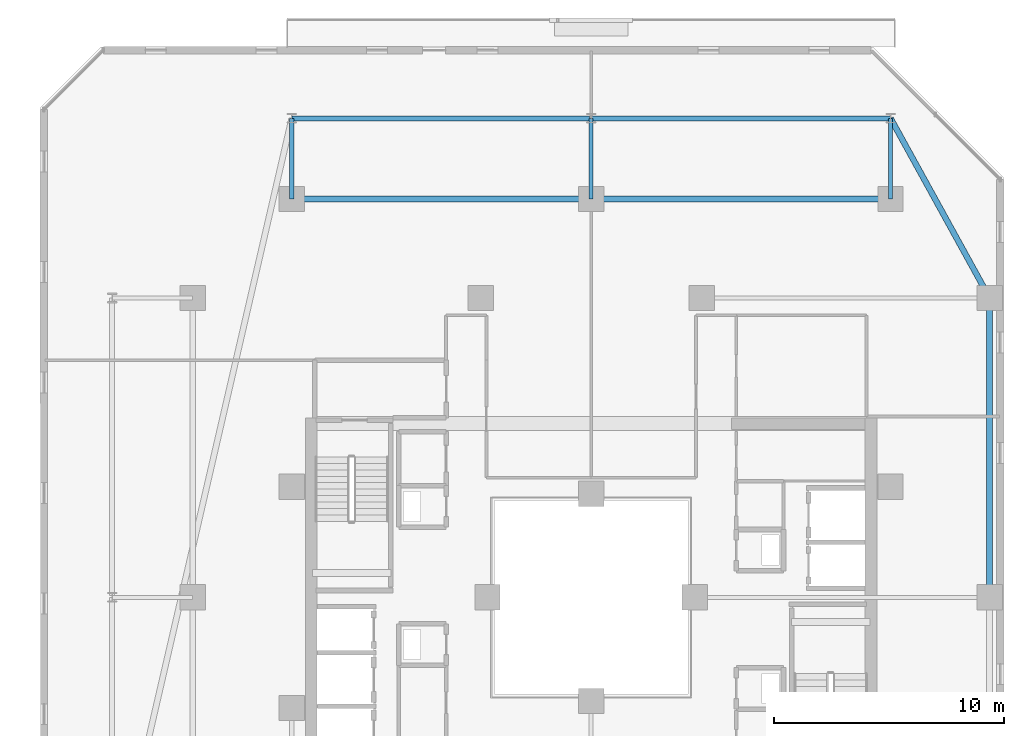
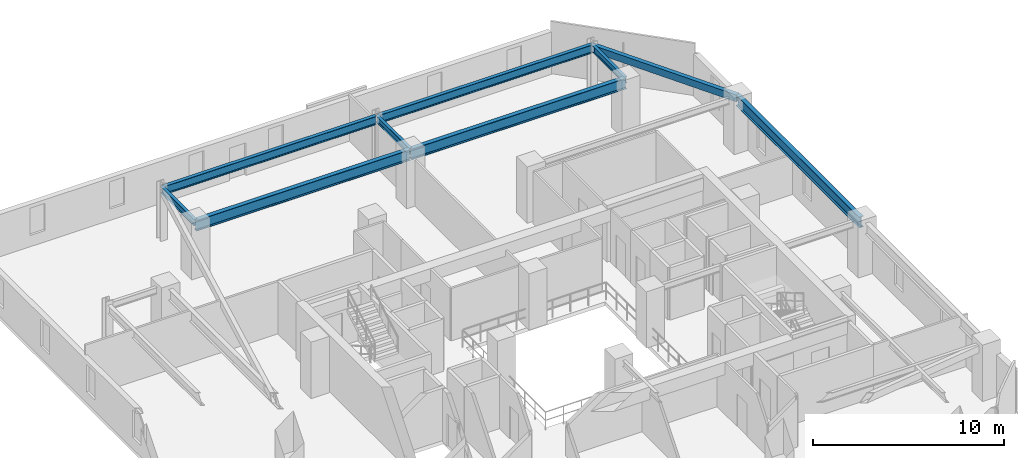
# One storey, part 16 of 32: 9 beams.
"""IFC4 building model written with IfcOpenShell, lengths in metres."""

import ifcopenshell
import ifcopenshell.guid

model = None  # the IFC model being written
_history = None  # IfcOwnerHistory: only IFC2X3 demands one
_inside = {}  # id of a spatial element -> (the spatial element, [elements in it])
_under = {}  # id of a project, library or spatial element -> (it, [spatial elements below it])
_declared = {}  # id of a project -> (the project, [libraries it declares])
_typed = {}  # id of a type object -> (the type object, [elements of that type])
_made_of = {}  # id of a material, layer set ... -> (it, [elements and type objects made of it])


def new_model(schema):
    """Start an empty IFC model of exactly this schema.

    Asked for "IFC4X3", IfcOpenShell would pick the latest addendum, in which some entities
    have other attributes; the version numbers below select the first issue.
    IFC2X3 requires an IfcOwnerHistory on every rooted entity: one is made here for all.
    """
    global model, _history
    if schema == "IFC4X3":
        model = ifcopenshell.file(schema_version=(4, 3, 0, 0))
    else:
        model = ifcopenshell.file(schema=schema)
    _inside.clear()
    _under.clear()
    _declared.clear()
    _typed.clear()
    _made_of.clear()
    _history = None
    if model.schema == "IFC2X3":
        org = make("IfcOrganization", Name="unknown")
        user = make(
            "IfcPersonAndOrganization",
            ThePerson=make("IfcPerson", FamilyName="unknown"),
            TheOrganization=org,
        )
        app = make(
            "IfcApplication",
            ApplicationDeveloper=org,
            Version="unknown",
            ApplicationFullName="unknown",
            ApplicationIdentifier="unknown",
        )
        _history = make(
            "IfcOwnerHistory",
            OwningUser=user,
            OwningApplication=app,
            ChangeAction="ADDED",
            CreationDate=0,
        )
    return model


def make(cls, **values):
    """One entity of the class cls with the attributes given. An attribute that is None is left unset."""
    return model.create_entity(
        cls, **{name: value for name, value in values.items() if value is not None}
    )


def rooted(cls, **values):
    """An entity with a GlobalId (a new one), such as an element, a storey or a relation."""
    return make(cls, GlobalId=ifcopenshell.guid.new(), OwnerHistory=_history, **values)


def si_unit(unit_type, name, prefix=None):
    """IfcSIUnit, for example si_unit("LENGTHUNIT", "METRE", prefix="MILLI")."""
    return make("IfcSIUnit", UnitType=unit_type, Prefix=prefix, Name=name)


def assignment(units):
    """IfcUnitAssignment: the units of a project."""
    return None if units is None else make("IfcUnitAssignment", Units=units)


def point(xyz):
    """IfcCartesianPoint."""
    return None if xyz is None else make("IfcCartesianPoint", Coordinates=xyz)


def direction(xyz):
    """IfcDirection."""
    return None if xyz is None else make("IfcDirection", DirectionRatios=xyz)


def frame(location, z_axis=None, x_axis=None):
    """IfcAxis2Placement3D, a coordinate frame: its origin and axes. An axis left out is left unset."""
    return make(
        "IfcAxis2Placement3D",
        Location=point(location),
        Axis=direction(z_axis),
        RefDirection=direction(x_axis),
    )


def frame_2d(location, x_axis=None):
    """IfcAxis2Placement2D, a coordinate frame in the plane: its origin and x axis."""
    return make(
        "IfcAxis2Placement2D", Location=point(location), RefDirection=direction(x_axis)
    )


def origin():
    """The frame at (0, 0, 0) with its axes left unset."""
    return frame((0.0, 0.0, 0.0))


def origin_2d():
    """The frame at (0, 0) in the plane with its x axis left unset."""
    return frame_2d((0.0, 0.0))


def place(relative_to, where):
    """IfcLocalPlacement: puts the frame where relative to a parent placement (None: the world)."""
    return make(
        "IfcLocalPlacement", PlacementRelTo=relative_to, RelativePlacement=where
    )


def context(
    kind, dimensions, precision=None, world=None, true_north=None, identifier=None
):
    """IfcGeometricRepresentationContext, for example the 3D "Model" context."""
    return make(
        "IfcGeometricRepresentationContext",
        ContextIdentifier=identifier,
        ContextType=kind,
        CoordinateSpaceDimension=dimensions,
        Precision=precision,
        WorldCoordinateSystem=world,
        TrueNorth=true_north,
    )


def subcontext(parent, identifier, kind, view, scale=None):
    """IfcGeometricRepresentationSubContext, for example "Body" below "Model"."""
    return make(
        "IfcGeometricRepresentationSubContext",
        ContextIdentifier=identifier,
        ContextType=kind,
        ParentContext=parent,
        TargetScale=scale,
        TargetView=view,
    )


def project(units=None, contexts=None):
    """IfcProject with its units and contexts."""
    return rooted(
        "IfcProject",
        Name="project",
        RepresentationContexts=contexts,
        UnitsInContext=assignment(units),
    )


def spatial(cls, under=None, at=None, **own):
    """A site, building, storey or space (cls), placed at a placement, below another one or the project."""
    s = rooted(cls, ObjectPlacement=at, **own)
    if under is not None:
        _under.setdefault(under.id(), (under, []))[1].append(s)
    return s


def profile(cls, at=None, kind="AREA", **sizes):
    """A parametric profile (cls). Its sizes go by their IFC names, for example OverallWidth=200.0."""
    return make(cls, ProfileType=kind, Position=at, **sizes)


def hollow_rectangle(**sizes):
    """IfcRectangleHollowProfileDef."""
    return profile("IfcRectangleHollowProfileDef", **sizes)


def i_section(**sizes):
    """IfcIShapeProfileDef."""
    return profile("IfcIShapeProfileDef", **sizes)


def extrude(swept, where, along, depth):
    """IfcExtrudedAreaSolid: the profile swept, set in the frame where, extruded along a direction by depth."""
    return make(
        "IfcExtrudedAreaSolid",
        SweptArea=swept,
        Position=where,
        ExtrudedDirection=direction(along),
        Depth=depth,
    )


def shape(context_of_items, identifier, shape_type, items):
    """IfcShapeRepresentation: the items that make up one representation, for example the "Body"."""
    return make(
        "IfcShapeRepresentation",
        ContextOfItems=context_of_items,
        RepresentationIdentifier=identifier,
        RepresentationType=shape_type,
        Items=items,
    )


def material(Name=None, Category=None):
    """IfcMaterial."""
    return make("IfcMaterial", Name=Name, Category=Category)


def material_profile(
    of_material, cross_section, Name=None, Category=None, Priority=None
):
    """IfcMaterialProfile: a cross section and its material."""
    return make(
        "IfcMaterialProfile",
        Name=Name,
        Material=of_material,
        Profile=cross_section,
        Priority=Priority,
        Category=Category,
    )


def profile_set(profiles, Name=None, composite=None):
    """IfcMaterialProfileSet."""
    return make(
        "IfcMaterialProfileSet",
        Name=Name,
        MaterialProfiles=profiles,
        CompositeProfile=composite,
    )


def made_of(thing, what):
    """Note that an element or type object is made of a material, layer set ...; save() writes the relation."""
    if what is not None:
        _made_of.setdefault(what.id(), (what, []))[1].append(thing)
    return thing


def type_object(cls, material=None, **own):
    """A type object (cls), such as IfcWallType, which elements share."""
    return made_of(rooted(cls, **own), material)


def element(
    cls,
    number,
    at=None,
    inside=None,
    cuts=None,
    type_object=None,
    material=None,
    context=None,
    identifier="Body",
    shape_type=None,
    held_by="IfcProductDefinitionShape",
    body=None,
    shapes=None,
    **own,
):
    """One element of the class cls, such as IfcWall. Its Tag is "e" and its number.

    at: its placement. inside: the storey or other place that contains it. cuts: it is an
    opening in that element (IfcRelVoidsElement). A single representation is given by context,
    identifier, shape_type and body (its items); several are given by shapes. held_by: the class
    of the entity that holds the representations. save() writes the other relations.
    """
    e = rooted(cls, Tag="e%d" % number, ObjectPlacement=at, **own)
    if body is not None:
        shapes = [shape(context, identifier, shape_type, body)]
    if shapes is not None:
        e.Representation = make(held_by, Representations=shapes)
    if inside is not None:
        _inside.setdefault(inside.id(), (inside, []))[1].append(e)
    if cuts is not None:
        rooted(
            "IfcRelVoidsElement", RelatingBuildingElement=cuts, RelatedOpeningElement=e
        )
    if type_object is not None:
        _typed.setdefault(type_object.id(), (type_object, []))[1].append(e)
    return made_of(e, material)


def aggregate(whole, parts):
    """IfcRelAggregates: a whole, such as a stair, and the parts it consists of."""
    return rooted("IfcRelAggregates", RelatingObject=whole, RelatedObjects=parts)


def save(model, path):
    """Write the relations noted so far, then the file.

    IfcRelAggregates (storeys below a building ...), IfcRelContainedInSpatialStructure (elements
    in a storey), IfcRelDefinesByType, IfcRelAssociatesMaterial and IfcRelDeclares: one each for
    every whole, place, type object, material and project.
    """
    for whole, parts in _under.values():
        aggregate(whole, parts)
    for where, things in _inside.values():
        rooted(
            "IfcRelContainedInSpatialStructure",
            RelatedElements=things,
            RelatingStructure=where,
        )
    for kind, things in _typed.values():
        rooted("IfcRelDefinesByType", RelatedObjects=things, RelatingType=kind)
    for what, things in _made_of.values():
        rooted("IfcRelAssociatesMaterial", RelatedObjects=things, RelatingMaterial=what)
    for by, libraries in _declared.values():
        rooted("IfcRelDeclares", RelatingContext=by, RelatedDefinitions=libraries)
    model.write(path)


model = new_model("IFC4")

# Units and contexts
model_context = context("Model", 3, precision=1e-05, world=origin(), true_north=direction((0.0, 1.0)))
body_context = subcontext(model_context, "Body", "Model", "MODEL_VIEW")
ifc_project = project(units=[si_unit("LENGTHUNIT", "METRE"), si_unit("AREAUNIT", "SQUARE_METRE"), si_unit("VOLUMEUNIT", "CUBIC_METRE"), si_unit("PLANEANGLEUNIT", "RADIAN"), si_unit("MASSUNIT", "GRAM", prefix="KILO")], contexts=[model_context])

# Site, building, storey
site_placement = place(None, origin())
site = spatial("IfcSite", under=ifc_project, at=site_placement, CompositionType="ELEMENT")
building_placement = place(site_placement, origin())
building = spatial("IfcBuilding", under=site, at=building_placement, Name="Thornwick Lancets Civic Towers", CompositionType="ELEMENT")
storey_placement = place(building_placement, frame((0.0, 0.0, 182.10009765625)))
storey = spatial("IfcBuildingStorey", under=building, at=storey_placement, Name="L48", CompositionType="ELEMENT", Elevation=182.10009765625)

# Beams
ifc_material = material(Name="Steel S355JR", Category="steel")
ifc_material_profile_1 = material_profile(ifc_material, i_section(OverallWidth=0.210693359375, OverallDepth=0.53955078125, WebThickness=0.01171875, FlangeThickness=0.018798828125, FilletRadius=0.0126953125, at=origin_2d()), Name="UKB 533x210x109")
ifc_profile_set_1 = profile_set([ifc_material_profile_1], Name="Steel S355JR")
beam_type_1 = type_object("IfcBeamType", Name="BM_EDGE_533_109", PredefinedType="SPANDREL", material=ifc_profile_set_1)
beam_1_placement = place(storey_placement, frame((101.5, 47.800048828125, 3.090087890625), z_axis=(-1.0, 0.0, 0.0), x_axis=(0.0, -1.0, 0.0)))
element("IfcBeam", 1, at=beam_1_placement, inside=storey, type_object=beam_type_1, Name="BM-EDGE-L48-B-S1-1", PredefinedType="SPANDREL", context=body_context, shape_type="SweptSolid", body=[
    extrude(i_section(OverallWidth=0.210693359375, OverallDepth=0.53955078125, WebThickness=0.01171875, FlangeThickness=0.018798828125, FilletRadius=0.0126953125, at=origin_2d()), origin(), (0.0, 0.0, 1.0), 13.0),
])
beam_2_placement = place(storey_placement, frame((88.419921875, 47.800048828125, 3.090087890625), z_axis=(-1.0, 0.0, 0.0), x_axis=(0.0, -1.0, 0.0)))
element("IfcBeam", 2, at=beam_2_placement, inside=storey, type_object=beam_type_1, Name="BM-EDGE-L48-B-S1-2", PredefinedType="SPANDREL", context=body_context, shape_type="SweptSolid", body=[
    extrude(i_section(OverallWidth=0.210693359375, OverallDepth=0.53955078125, WebThickness=0.01171875, FlangeThickness=0.018798828125, FilletRadius=0.0126953125, at=origin_2d()), origin(), (0.0, 0.0, 1.0), 12.919921875),
])
ifc_material_profile_2 = material_profile(ifc_material, i_section(OverallWidth=0.255859375, OverallDepth=0.69287109375, WebThickness=0.014404296875, FlangeThickness=0.023681640625, FilletRadius=0.01513671875, at=origin_2d()), Name="UKB 686x254x170")
ifc_profile_set_2 = profile_set([ifc_material_profile_2], Name="Steel S355JR")
beam_type_2 = type_object("IfcBeamType", Name="BM_GIRD_686_170", PredefinedType="BEAM", material=ifc_profile_set_2)
beam_3_placement = place(storey_placement, frame((105.800048828125, 27.080078125, 3.013427734375), z_axis=(0.0, 1.0, 0.0), x_axis=(-1.0, 0.0, 0.0)))
element("IfcBeam", 3, at=beam_3_placement, inside=storey, type_object=beam_type_2, Name="BM-SPINE-L48-B-1-2", PredefinedType="BEAM", context=body_context, shape_type="SweptSolid", body=[
    extrude(i_section(OverallWidth=0.255859375, OverallDepth=0.69287109375, WebThickness=0.014404296875, FlangeThickness=0.023681640625, FilletRadius=0.01513671875, at=origin_2d()), origin(), (0.0, 0.0, 1.0), 12.919921875),
])
beam_4_placement = place(storey_placement, frame((101.5, 44.300048828125, 3.013427734375), z_axis=(-1.0, 0.0, 0.0), x_axis=(0.0, -1.0, 0.0)))
element("IfcBeam", 4, at=beam_4_placement, inside=storey, type_object=beam_type_2, Name="BM-SPINE-L48-B-3-4", PredefinedType="BEAM", context=body_context, shape_type="SweptSolid", body=[
    extrude(i_section(OverallWidth=0.255859375, OverallDepth=0.69287109375, WebThickness=0.014404296875, FlangeThickness=0.023681640625, FilletRadius=0.01513671875, at=origin_2d()), origin(), (0.0, 0.0, 1.0), 13.0),
])
beam_5_placement = place(storey_placement, frame((88.419921875, 44.300048828125, 3.013427734375), z_axis=(-1.0, 0.0, 0.0), x_axis=(0.0, -1.0, 0.0)))
element("IfcBeam", 5, at=beam_5_placement, inside=storey, type_object=beam_type_2, Name="BM-SPINE-L48-B-4-5", PredefinedType="BEAM", context=body_context, shape_type="SweptSolid", body=[
    extrude(i_section(OverallWidth=0.255859375, OverallDepth=0.69287109375, WebThickness=0.014404296875, FlangeThickness=0.023681640625, FilletRadius=0.01513671875, at=origin_2d()), origin(), (0.0, 0.0, 1.0), 12.919921875),
])
ifc_material_profile_3 = material_profile(ifc_material, i_section(OverallWidth=0.179443359375, OverallDepth=0.412841796875, WebThickness=0.009521484375, FlangeThickness=0.01611328125, FilletRadius=0.01025390625, at=origin_2d()), Name="UKB 406x178x74")
ifc_profile_set_3 = profile_set([ifc_material_profile_3], Name="Steel S355JR")
beam_type_3 = type_object("IfcBeamType", Name="BM_JOIST_406_74", PredefinedType="JOIST", material=ifc_profile_set_3)
for number, where, z_axis, x_axis, name in (
    (6, (101.5, 44.300048828125, 3.153564453125), (0.0, 1.0, 0.0), (-1.0, 0.0, 0.0), "BM-RAD-L48-B04"),
    (7, (88.5, 44.300048828125, 3.153564453125), (0.0, 1.0, 0.0), (-1.0, 0.0, 0.0), "BM-RAD-L48-B05"),
    (8, (75.5, 44.300048828125, 3.153564453125), (0.0, 1.0, 0.0), (-1.0, 0.0, 0.0), "BM-RAD-L48-B06"),
):
    element("IfcBeam", number, at=place(storey_placement, frame(where, z_axis=z_axis, x_axis=x_axis)), inside=storey, type_object=beam_type_3, Name=name, PredefinedType="JOIST", context=body_context, shape_type="SweptSolid", body=[
        extrude(i_section(OverallWidth=0.179443359375, OverallDepth=0.412841796875, WebThickness=0.009521484375, FlangeThickness=0.01611328125, FilletRadius=0.01025390625, at=origin_2d()), origin(), (0.0, 0.0, 1.0), 3.5),
    ])
ifc_material_profile_4 = material_profile(ifc_material, hollow_rectangle(XDim=0.25, YDim=0.449951171875, WallThickness=0.01611328125, at=origin_2d()), Name="RHS 450x250x16")
ifc_profile_set_4 = profile_set([ifc_material_profile_4], Name="Steel S355JR")
beam_type_4 = type_object("IfcBeamType", Name="BM_RING_RHS450", PredefinedType="BEAM", material=ifc_profile_set_4)
beam_6_placement = place(storey_placement, frame((105.800048828125, 40.0, 3.135009765625), z_axis=(-0.482782395749, 0.875740348708, 0.0), x_axis=(-0.875740348708, -0.482782395749, 0.0)))
element("IfcBeam", 9, at=beam_6_placement, inside=storey, type_object=beam_type_4, Name="BM-CHAMF-L48-B-C0", PredefinedType="BEAM", context=body_context, shape_type="SweptSolid", body=[
    extrude(hollow_rectangle(XDim=0.25, YDim=0.449951171875, WallThickness=0.01611328125, at=origin_2d()), origin(), (0.0, 0.0, 1.0), 8.90673828125),
])

save(model, "model.ifc")
